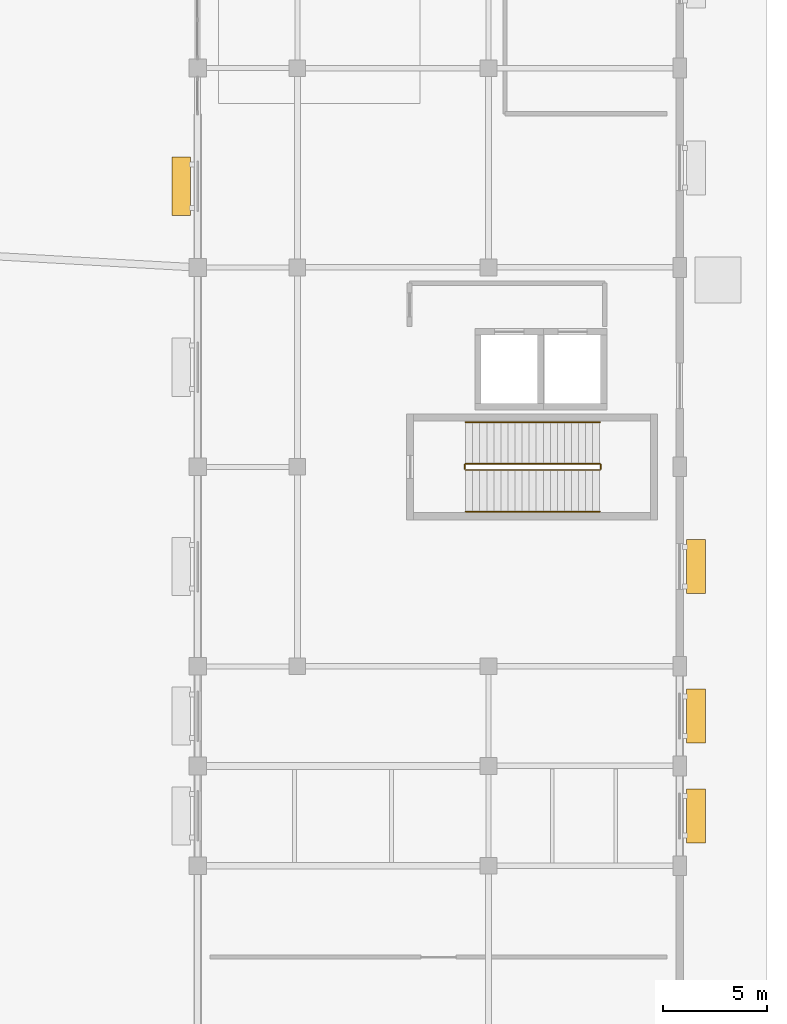
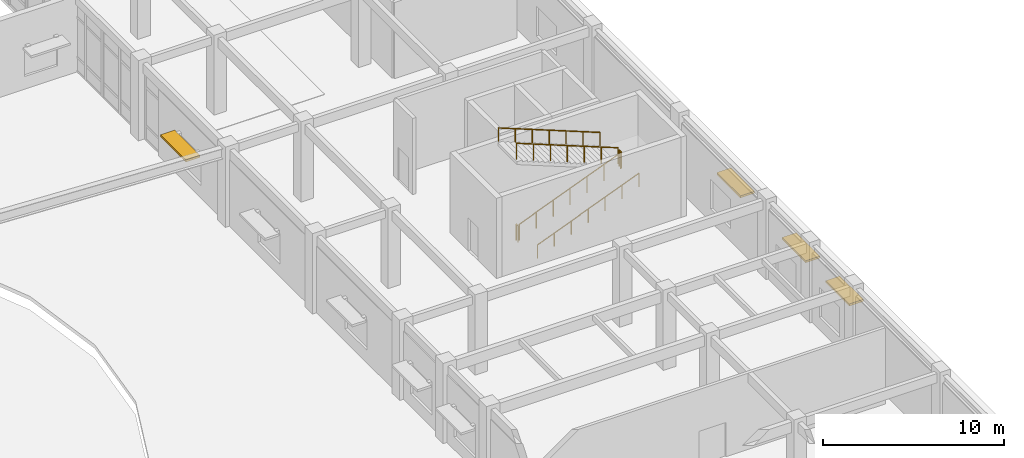
# One storey, part 52 of 54: 6 railings, 4 shading devices.
"""IFC4 building model written with IfcOpenShell, lengths in metres."""

from ifc_helpers import new_model, si_unit, direction, frame, origin, origin_2d, place, context, subcontext, project, spatial, rectangle, circle, extrude, material, type_object, element, save


model = new_model("IFC4")

# Units and contexts
model_context = context("Model", 3, precision=1e-05, world=origin(), true_north=direction((0.0, 1.0)))
body_context = subcontext(model_context, "Body", "Model", "MODEL_VIEW")
ifc_project = project(units=[si_unit("LENGTHUNIT", "METRE"), si_unit("AREAUNIT", "SQUARE_METRE"), si_unit("VOLUMEUNIT", "CUBIC_METRE"), si_unit("PLANEANGLEUNIT", "RADIAN"), si_unit("MASSUNIT", "GRAM", prefix="KILO")], contexts=[model_context])

# Site, building, storey
site_placement = place(None, origin())
site = spatial("IfcSite", under=ifc_project, at=site_placement, CompositionType="ELEMENT")
building_placement = place(site_placement, origin())
building = spatial("IfcBuilding", under=site, at=building_placement, Name="Veldera Park Congress Hotel", CompositionType="ELEMENT")
storey_placement = place(building_placement, origin())
storey = spatial("IfcBuildingStorey", under=building, at=storey_placement, Name="L00", CompositionType="ELEMENT", Elevation=0.0)

# Railings
ifc_material_1 = material(Name="Steel ASTM A992 Gr.50", Category="steel")
railing_type_1 = type_object("IfcRailingType", Name="GRD-ST110", PredefinedType="GUARDRAIL", material=ifc_material_1)
railing_1_placement = place(storey_placement, frame((73.699951171875, -9.14990234375, 0.135009765625)))
element("IfcRailing", 1, at=railing_1_placement, inside=storey, type_object=railing_type_1, Name="L00 ST2 stair guard 1", PredefinedType="GUARDRAIL", context=body_context, shape_type="SweptSolid", body=[
    extrude(circle(Radius=0.02392578125, at=origin_2d()), frame((0.0, 0.0, 1.076171875), z_axis=(0.929418439274, 0.0, 0.369027593462), x_axis=(0.0, 1.0, 0.0)), (0.0, 0.0, 1.0), 6.950439453125),
    extrude(circle(Radius=0.02099609375, at=origin_2d()), origin(), (0.0, 0.0, 1.0), 1.052001953125),
    extrude(circle(Radius=0.02099609375, at=origin_2d()), frame((1.07666015625, 0.0, 0.427490234375)), (0.0, 0.0, 1.0), 1.052001953125),
    extrude(circle(Radius=0.02099609375, at=origin_2d()), frame((2.1533203125, 0.0, 0.85498046875)), (0.0, 0.0, 1.0), 1.052001953125),
    extrude(circle(Radius=0.02099609375, at=origin_2d()), frame((3.22998046875, 0.0, 1.282470703125)), (0.0, 0.0, 1.0), 1.052001953125),
    extrude(circle(Radius=0.02099609375, at=origin_2d()), frame((4.306640625, 0.0, 1.7099609375)), (0.0, 0.0, 1.0), 1.052001953125),
    extrude(circle(Radius=0.02099609375, at=origin_2d()), frame((5.38330078125, 0.0, 2.137451171875)), (0.0, 0.0, 1.0), 1.052001953125),
    extrude(circle(Radius=0.02099609375, at=origin_2d()), frame((6.4599609375, 0.0, 2.56494140625)), (0.0, 0.0, 1.0), 1.052001953125),
])
railing_2_placement = place(storey_placement, frame((80.2099609375, -9.10009765625, 2.699951171875)))
element("IfcRailing", 2, at=railing_2_placement, inside=storey, type_object=railing_type_1, Name="L00 ST2 stair guard 2", PredefinedType="GUARDRAIL", context=body_context, shape_type="SweptSolid", body=[
    extrude(circle(Radius=0.02392578125, at=origin_2d()), frame((0.0, 0.0, 1.076171875), z_axis=(0.0, 1.0, 0.0), x_axis=(-1.0, 0.0, 0.0)), (0.0, 0.0, 1.0), 0.2001953125),
    extrude(circle(Radius=0.02099609375, at=origin_2d()), origin(), (0.0, 0.0, 1.0), 1.052001953125),
    extrude(circle(Radius=0.02099609375, at=origin_2d()), frame((0.0, 0.2001953125, 0.0)), (0.0, 0.0, 1.0), 1.052001953125),
])
railing_3_placement = place(storey_placement, frame((80.159912109375, -8.85009765625, 2.8349609375)))
element("IfcRailing", 3, at=railing_3_placement, inside=storey, type_object=railing_type_1, Name="L00 ST2 stair guard 3", PredefinedType="GUARDRAIL", context=body_context, shape_type="SweptSolid", body=[
    extrude(circle(Radius=0.02392578125, at=origin_2d()), frame((0.0, 0.0, 1.076171875), z_axis=(-0.929418439274, 0.0, 0.369027593462), x_axis=(0.0, -1.0, 0.0)), (0.0, 0.0, 1.0), 6.950439453125),
    extrude(circle(Radius=0.02099609375, at=origin_2d()), origin(), (0.0, 0.0, 1.0), 1.052001953125),
    extrude(circle(Radius=0.02099609375, at=origin_2d()), frame((-1.07666015625, 0.0, 0.427490234375)), (0.0, 0.0, 1.0), 1.052001953125),
    extrude(circle(Radius=0.02099609375, at=origin_2d()), frame((-2.1533203125, 0.0, 0.85498046875)), (0.0, 0.0, 1.0), 1.052001953125),
    extrude(circle(Radius=0.02099609375, at=origin_2d()), frame((-3.22998046875, 0.0, 1.282470703125)), (0.0, 0.0, 1.0), 1.052001953125),
    extrude(circle(Radius=0.02099609375, at=origin_2d()), frame((-4.306640625, 0.0, 1.7099609375)), (0.0, 0.0, 1.0), 1.052001953125),
    extrude(circle(Radius=0.02099609375, at=origin_2d()), frame((-5.38330078125, 0.0, 2.137451171875)), (0.0, 0.0, 1.0), 1.052001953125),
    extrude(circle(Radius=0.02099609375, at=origin_2d()), frame((-6.4599609375, 0.0, 2.56494140625)), (0.0, 0.0, 1.0), 1.052001953125),
])
railing_4_placement = place(storey_placement, frame((73.64990234375, -9.10009765625, 0.0)))
element("IfcRailing", 4, at=railing_4_placement, inside=storey, type_object=railing_type_1, Name="L00 ST2 stair guard 4", PredefinedType="GUARDRAIL", context=body_context, shape_type="SweptSolid", body=[
    extrude(circle(Radius=0.02392578125, at=origin_2d()), frame((0.0, 0.0, 1.076171875), z_axis=(0.0, 1.0, 0.0), x_axis=(-1.0, 0.0, 0.0)), (0.0, 0.0, 1.0), 0.2001953125),
    extrude(circle(Radius=0.02099609375, at=origin_2d()), origin(), (0.0, 0.0, 1.0), 1.052001953125),
    extrude(circle(Radius=0.02099609375, at=origin_2d()), frame((0.0, 0.2001953125, 0.0)), (0.0, 0.0, 1.0), 1.052001953125),
])
railing_type_2 = type_object("IfcRailingType", Name="HRL-920", PredefinedType="HANDRAIL", material=ifc_material_1)
railing_5_placement = place(storey_placement, frame((73.699951171875, -11.14990234375, 0.135009765625)))
element("IfcRailing", 5, at=railing_5_placement, inside=storey, type_object=railing_type_2, Name="L00 ST2 stair handrail 1", PredefinedType="HANDRAIL", context=body_context, shape_type="SweptSolid", body=[
    extrude(circle(Radius=0.02392578125, at=origin_2d()), frame((0.0, 0.0, 0.89599609375), z_axis=(0.929418439274, 0.0, 0.369027593462), x_axis=(0.0, 1.0, 0.0)), (0.0, 0.0, 1.0), 6.950439453125),
    extrude(circle(Radius=0.02099609375, at=origin_2d()), origin(), (0.0, 0.0, 1.0), 0.871826171875),
    extrude(circle(Radius=0.02099609375, at=origin_2d()), frame((1.07666015625, 0.0, 0.427490234375)), (0.0, 0.0, 1.0), 0.871826171875),
    extrude(circle(Radius=0.02099609375, at=origin_2d()), frame((2.1533203125, 0.0, 0.85498046875)), (0.0, 0.0, 1.0), 0.871826171875),
    extrude(circle(Radius=0.02099609375, at=origin_2d()), frame((3.22998046875, 0.0, 1.282470703125)), (0.0, 0.0, 1.0), 0.871826171875),
    extrude(circle(Radius=0.02099609375, at=origin_2d()), frame((4.306640625, 0.0, 1.7099609375)), (0.0, 0.0, 1.0), 0.871826171875),
    extrude(circle(Radius=0.02099609375, at=origin_2d()), frame((5.38330078125, 0.0, 2.137451171875)), (0.0, 0.0, 1.0), 0.871826171875),
    extrude(circle(Radius=0.02099609375, at=origin_2d()), frame((6.4599609375, 0.0, 2.56494140625)), (0.0, 0.0, 1.0), 0.871826171875),
])
railing_6_placement = place(storey_placement, frame((80.159912109375, -6.85009765625, 2.8349609375)))
element("IfcRailing", 6, at=railing_6_placement, inside=storey, type_object=railing_type_2, Name="L00 ST2 stair handrail 2", PredefinedType="HANDRAIL", context=body_context, shape_type="SweptSolid", body=[
    extrude(circle(Radius=0.02392578125, at=origin_2d()), frame((0.0, 0.0, 0.89599609375), z_axis=(-0.929418439274, 0.0, 0.369027593462), x_axis=(0.0, -1.0, 0.0)), (0.0, 0.0, 1.0), 6.950439453125),
    extrude(circle(Radius=0.02099609375, at=origin_2d()), origin(), (0.0, 0.0, 1.0), 0.871826171875),
    extrude(circle(Radius=0.02099609375, at=origin_2d()), frame((-1.07666015625, 0.0, 0.427490234375)), (0.0, 0.0, 1.0), 0.871826171875),
    extrude(circle(Radius=0.02099609375, at=origin_2d()), frame((-2.1533203125, 0.0, 0.85498046875)), (0.0, 0.0, 1.0), 0.871826171875),
    extrude(circle(Radius=0.02099609375, at=origin_2d()), frame((-3.22998046875, 0.0, 1.282470703125)), (0.0, 0.0, 1.0), 0.871826171875),
    extrude(circle(Radius=0.02099609375, at=origin_2d()), frame((-4.306640625, 0.0, 1.7099609375)), (0.0, 0.0, 1.0), 0.871826171875),
    extrude(circle(Radius=0.02099609375, at=origin_2d()), frame((-5.38330078125, 0.0, 2.137451171875)), (0.0, 0.0, 1.0), 0.871826171875),
    extrude(circle(Radius=0.02099609375, at=origin_2d()), frame((-6.4599609375, 0.0, 2.56494140625)), (0.0, 0.0, 1.0), 0.871826171875),
])

# Shading devices
ifc_material_2 = material(Name="Glulam GL28h (NDS 24F-V4)", Category="wood")
shading_device_type = type_object("IfcShadingDeviceType", Name="SHD-SHF450", PredefinedType="AWNING", material=ifc_material_2)
for number, where, z_axis, x_axis, name in (
    (7, (84.7900390625, -25.800048828125, 2.85986328125), (0.0, 0.0, 1.0), (0.0, 1.0, 0.0), "Glulam Solar Shade 84"),
    (8, (84.7900390625, -21.0, 2.85986328125), (0.0, 0.0, 1.0), (0.0, 1.0, 0.0), "Glulam Solar Shade 85"),
    (9, (84.7900390625, -13.800048828125, 2.85986328125), (0.0, 0.0, 1.0), (0.0, 1.0, 0.0), "Glulam Solar Shade 86"),
):
    element("IfcShadingDevice", number, at=place(storey_placement, frame(where, z_axis=z_axis, x_axis=x_axis)), inside=storey, type_object=shading_device_type, Name=name, PredefinedType="AWNING", context=body_context, shape_type="SweptSolid", body=[
        extrude(rectangle(XDim=2.60009765625, YDim=0.89990234375, at=origin_2d()), origin(), (0.0, 0.0, 1.0), 0.139892578125),
    ])
shading_device_placement = place(storey_placement, frame((60.010009765625, 4.511474609375, 2.91015625), z_axis=(0.0, 0.0, 1.0), x_axis=(0.0, -1.0, 0.0)))
element("IfcShadingDevice", 10, at=shading_device_placement, inside=storey, type_object=shading_device_type, Name="Glulam Solar Shade 94", PredefinedType="AWNING", context=body_context, shape_type="SweptSolid", body=[
    extrude(rectangle(XDim=2.800048828125, YDim=0.89990234375, at=origin_2d()), origin(), (0.0, 0.0, 1.0), 0.139892578125),
])

save(model, "model.ifc")
